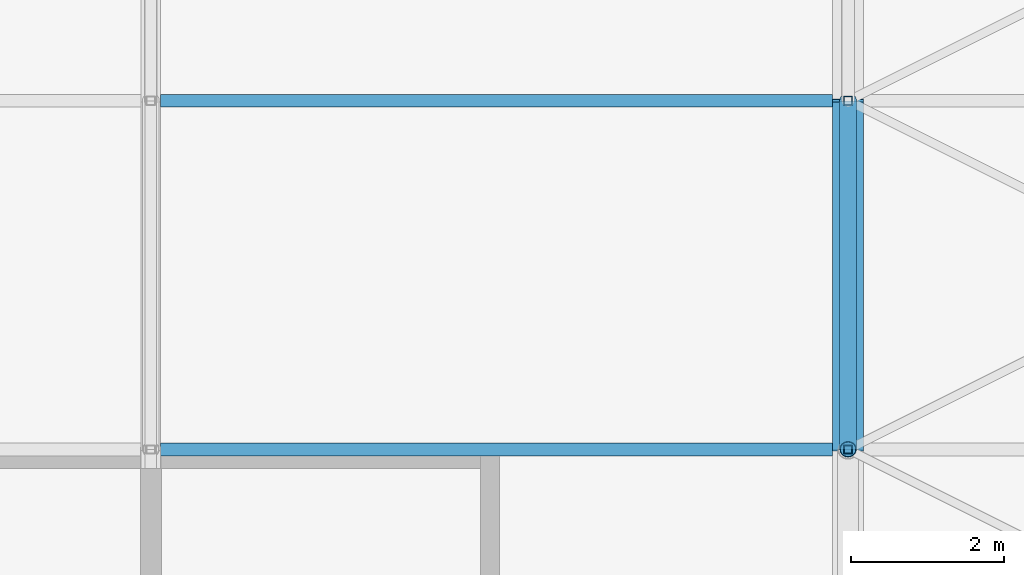
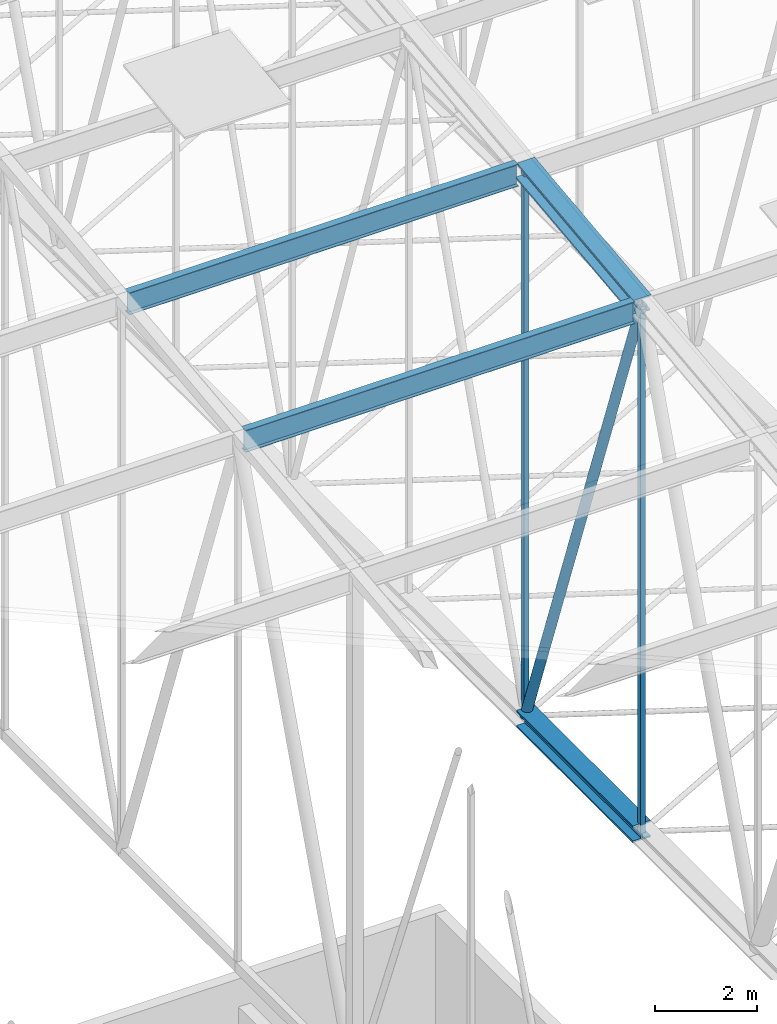
# One storey, part 88 of 500: 7 members.
"""IFC4 building model written with IfcOpenShell, lengths in metres."""

from ifc_helpers import new_model, si_unit, direction, frame, origin, origin_2d, place, context, subcontext, project, spatial, hollow_rectangle, hollow_circle, i_section, extrude, material, material_profile, profile_set, type_object, element, save


model = new_model("IFC4")

# Units and contexts
model_context = context("Model", 3, precision=1e-05, world=origin(), true_north=direction((0.0, 1.0)))
body_context = subcontext(model_context, "Body", "Model", "MODEL_VIEW")
ifc_project = project(units=[si_unit("LENGTHUNIT", "METRE"), si_unit("AREAUNIT", "SQUARE_METRE"), si_unit("VOLUMEUNIT", "CUBIC_METRE"), si_unit("PLANEANGLEUNIT", "RADIAN"), si_unit("MASSUNIT", "GRAM", prefix="KILO")], contexts=[model_context])

# Site, building, storey
site_placement = place(None, origin())
site = spatial("IfcSite", under=ifc_project, at=site_placement, CompositionType="ELEMENT")
building_placement = place(site_placement, origin())
building = spatial("IfcBuilding", under=site, at=building_placement, Name="Shirokan Park Arena", CompositionType="ELEMENT")
storey_placement = place(building_placement, frame((0.0, 0.0, 29.1201171875)))
storey = spatial("IfcBuildingStorey", under=building, at=storey_placement, Name="L06", CompositionType="ELEMENT", Elevation=29.1201171875)

# Members
ifc_material_1 = material(Name="Steel ASTM A992", Category="steel")
ifc_material_profile_1 = material_profile(ifc_material_1, i_section(OverallWidth=0.40087890625, OverallDepth=0.39892578125, WebThickness=0.02490234375, FlangeThickness=0.03955078125, at=origin_2d()), Name="W360X314")
ifc_profile_set_1 = profile_set([ifc_material_profile_1], Name="Steel ASTM A992")
member_type_1 = type_object("IfcMemberType", Name="Bottom chord W360X314", PredefinedType="CHORD", material=ifc_profile_set_1)
member_1_placement = place(storey_placement, frame((45.5, 40.949951171875, 4.677001953125), z_axis=(0.0, 1.0, 0.0), x_axis=(-1.0, 0.0, 0.0)))
element("IfcMember", 1, at=member_1_placement, inside=storey, type_object=member_type_1, Name="Truss T06 bottom chord 12", PredefinedType="CHORD", context=body_context, shape_type="SweptSolid", body=[
    extrude(i_section(OverallWidth=0.40087890625, OverallDepth=0.39892578125, WebThickness=0.02490234375, FlangeThickness=0.03955078125, at=origin_2d()), origin(), (0.0, 0.0, 1.0), 4.550048828125),
])
ifc_material_profile_2 = material_profile(ifc_material_1, i_section(OverallWidth=0.166015625, OverallDepth=0.528076171875, WebThickness=0.009765625, FlangeThickness=0.013671875, at=origin_2d()), Name="W530X74")
ifc_profile_set_2 = profile_set([ifc_material_profile_2], Name="Steel ASTM A992")
member_type_2 = type_object("IfcMemberType", Name="Purlin W530X74", PredefinedType="PURLIN", material=ifc_profile_set_2)
member_2_placement = place(storey_placement, frame((36.527099609375, 40.949951171875, 17.165771484375), z_axis=(1.0, 0.0, 0.0), x_axis=(0.0, 1.0, 0.0)))
element("IfcMember", 2, at=member_2_placement, inside=storey, type_object=member_type_2, Name="Purlin 12 bay 5", PredefinedType="PURLIN", context=body_context, shape_type="SweptSolid", body=[
    extrude(i_section(OverallWidth=0.166015625, OverallDepth=0.528076171875, WebThickness=0.009765625, FlangeThickness=0.013671875, at=origin_2d()), origin(), (0.0, 0.0, 1.0), 8.7724609375),
])
member_3_placement = place(storey_placement, frame((36.527099609375, 45.5, 17.685791015625), z_axis=(1.0, 0.0, 0.0), x_axis=(0.0, 1.0, 0.0)))
element("IfcMember", 3, at=member_3_placement, inside=storey, type_object=member_type_2, Name="Purlin 13 bay 5", PredefinedType="PURLIN", context=body_context, shape_type="SweptSolid", body=[
    extrude(i_section(OverallWidth=0.166015625, OverallDepth=0.528076171875, WebThickness=0.009765625, FlangeThickness=0.013671875, at=origin_2d()), origin(), (0.0, 0.0, 1.0), 8.77001953125),
])
ifc_material_profile_3 = material_profile(ifc_material_1, i_section(OverallWidth=0.40087890625, OverallDepth=0.39892578125, WebThickness=0.02490234375, FlangeThickness=0.03955078125, at=origin_2d()), Name="W360X314")
ifc_profile_set_3 = profile_set([ifc_material_profile_3], Name="Steel ASTM A992")
member_type_3 = type_object("IfcMemberType", Name="Top chord W360X314", PredefinedType="CHORD", material=ifc_profile_set_3)
member_4_placement = place(storey_placement, frame((45.5, 40.949951171875, 17.221435546875), z_axis=(0.0, 0.993532328996, 0.113549598152), x_axis=(-1.0, 0.0, 0.0)))
element("IfcMember", 4, at=member_4_placement, inside=storey, type_object=member_type_3, Name="Truss T06 top chord 12", PredefinedType="CHORD", context=body_context, shape_type="SweptSolid", body=[
    extrude(i_section(OverallWidth=0.40087890625, OverallDepth=0.39892578125, WebThickness=0.02490234375, FlangeThickness=0.03955078125, at=origin_2d()), origin(), (0.0, 0.0, 1.0), 4.57958984375),
])
ifc_material_2 = material(Name="Steel ASTM A500 Grade C", Category="steel")
ifc_material_profile_4 = material_profile(ifc_material_2, hollow_circle(Radius=0.109619140625, WallThickness=0.009521484375, at=origin_2d()), Name="HSS219.1X9.5")
ifc_profile_set_4 = profile_set([ifc_material_profile_4], Name="Steel ASTM A500 Grade C")
member_type_4 = type_object("IfcMemberType", Name="Truss diagonal HSS219.1X9.5", PredefinedType="BRACE", material=ifc_profile_set_4)
member_5_placement = place(storey_placement, frame((45.5, 40.949951171875, 17.221435546875), z_axis=(0.0, 0.340977600467, -0.94007142068), x_axis=(-1.0, 0.0, 0.0)))
element("IfcMember", 5, at=member_5_placement, inside=storey, type_object=member_type_4, Name="Truss T06 diagonal 12", PredefinedType="BRACE", context=body_context, shape_type="SweptSolid", body=[
    extrude(hollow_circle(Radius=0.109619140625, WallThickness=0.009521484375, at=origin_2d()), origin(), (0.0, 0.0, 1.0), 13.34423828125),
])
ifc_material_profile_5 = material_profile(ifc_material_2, hollow_rectangle(XDim=0.114013671875, YDim=0.114013671875, WallThickness=0.00634765625, at=origin_2d()), Name="HSS114.3X114.3X6.4")
ifc_profile_set_5 = profile_set([ifc_material_profile_5], Name="Steel ASTM A500 Grade C")
member_type_5 = type_object("IfcMemberType", Name="Truss post HSS114.3X114.3X6.4", PredefinedType="POST", material=ifc_profile_set_5)
member_6_placement = place(storey_placement, frame((45.5, 40.949951171875, 4.677001953125), z_axis=(0.0, 0.0, 1.0), x_axis=(1.0, 0.0, 0.0)))
element("IfcMember", 6, at=member_6_placement, inside=storey, type_object=member_type_5, Name="Truss T06 post 12", PredefinedType="POST", context=body_context, shape_type="SweptSolid", body=[
    extrude(hollow_rectangle(XDim=0.114013671875, YDim=0.114013671875, WallThickness=0.00634765625, at=origin_2d()), origin(), (0.0, 0.0, 1.0), 12.54443359375),
])
member_7_placement = place(storey_placement, frame((45.5, 45.5, 4.677001953125), z_axis=(0.0, 0.0, 1.0), x_axis=(1.0, 0.0, 0.0)))
element("IfcMember", 7, at=member_7_placement, inside=storey, type_object=member_type_5, Name="Truss T06 post 13", PredefinedType="POST", context=body_context, shape_type="SweptSolid", body=[
    extrude(hollow_rectangle(XDim=0.114013671875, YDim=0.114013671875, WallThickness=0.00634765625, at=origin_2d()), origin(), (0.0, 0.0, 1.0), 13.064453125),
])

save(model, "model.ifc")
